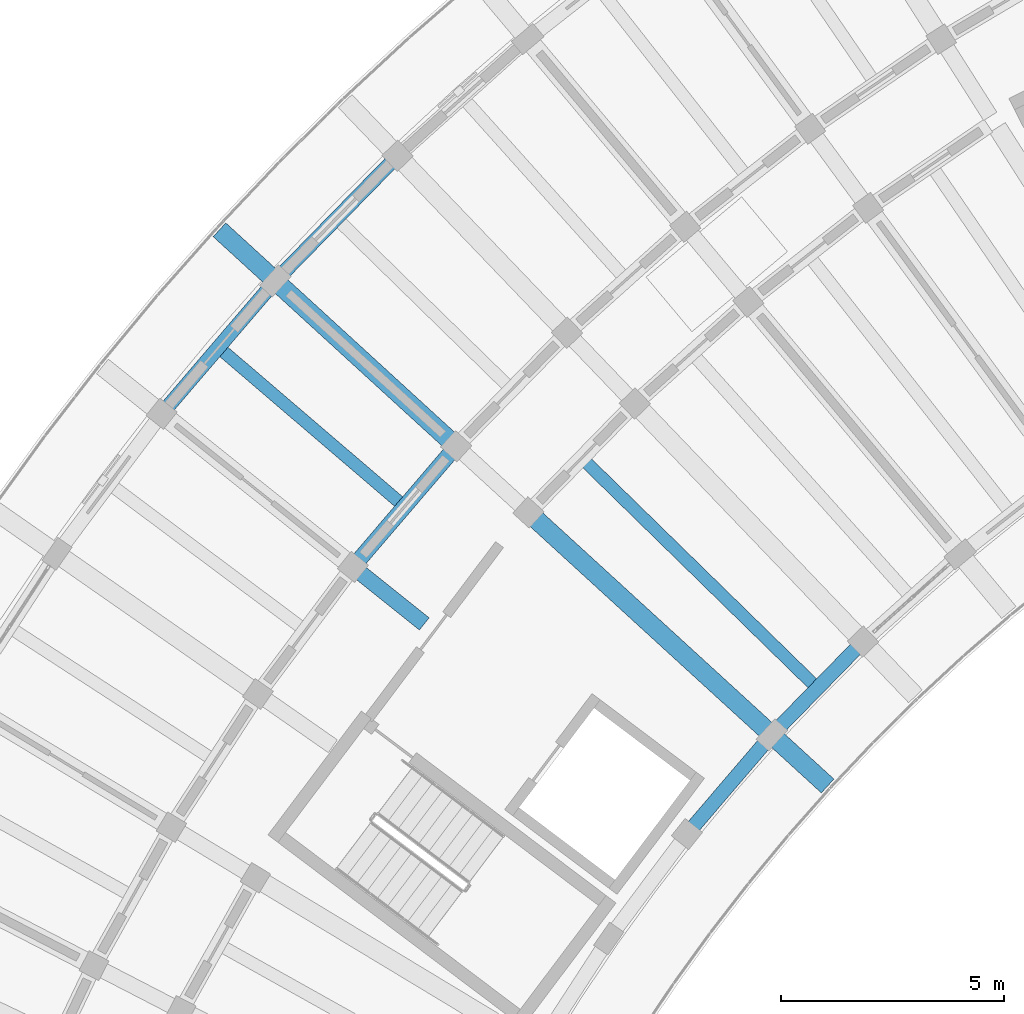
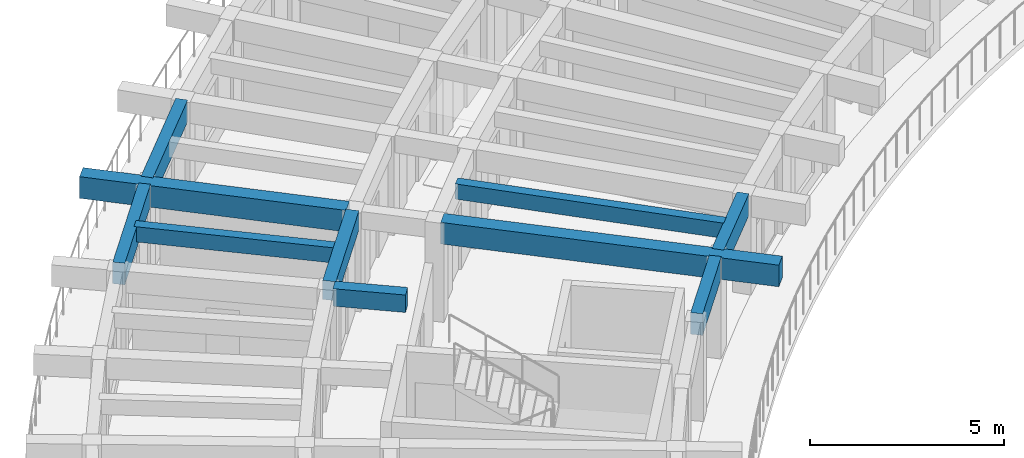
# One storey, part 14 of 62: 10 beams.
"""IFC4 building model written with IfcOpenShell, lengths in metres."""

from ifc_helpers import new_model, si_unit, direction, frame, origin, origin_2d, place, context, subcontext, project, spatial, rectangle, extrude, material, material_profile, profile_set, type_object, element, save


model = new_model("IFC4")

# Units and contexts
model_context = context("Model", 3, precision=1e-05, world=origin(), true_north=direction((0.0, 1.0)))
body_context = subcontext(model_context, "Body", "Model", "MODEL_VIEW")
ifc_project = project(units=[si_unit("LENGTHUNIT", "METRE"), si_unit("AREAUNIT", "SQUARE_METRE"), si_unit("VOLUMEUNIT", "CUBIC_METRE"), si_unit("PLANEANGLEUNIT", "RADIAN"), si_unit("MASSUNIT", "GRAM", prefix="KILO")], contexts=[model_context])

# Site, building, storey
site_placement = place(None, origin())
site = spatial("IfcSite", under=ifc_project, at=site_placement, CompositionType="ELEMENT")
building_placement = place(site_placement, origin())
building = spatial("IfcBuilding", under=site, at=building_placement, Name="Tanwirah Colonnade Gardens", CompositionType="ELEMENT")
storey_placement = place(building_placement, frame((0.0, 0.0, 32.360107421875)))
storey = spatial("IfcBuildingStorey", under=building, at=storey_placement, Name="L09", CompositionType="ELEMENT", Elevation=32.360107421875)

# Beams
ifc_material_1 = material(Name="Precast concrete C40/50", Category="concrete")
ifc_material_profile_1 = material_profile(ifc_material_1, rectangle(XDim=0.35009765625, YDim=0.550048828125, at=origin_2d()), Name="PC-BM 350x550")
ifc_profile_set_1 = profile_set([ifc_material_profile_1], Name="Precast concrete C40/50")
beam_type_1 = type_object("IfcBeamType", Name="BM-PC350A", PredefinedType="BEAM", material=ifc_profile_set_1)
beam_1_placement = place(storey_placement, frame((24.398681640625, 92.68896484375, 2.83984375), z_axis=(-0.78073089418, 0.624867402633, 0.0), x_axis=(-0.624867402633, -0.78073089418, 0.0)))
element("IfcBeam", 1, at=beam_1_placement, inside=storey, type_object=beam_type_1, Name="Block A L09 Corridor Tie Beam 12", PredefinedType="BEAM", context=body_context, shape_type="SweptSolid", body=[
    extrude(rectangle(XDim=0.35009765625, YDim=0.550048828125, at=origin_2d()), origin(), (0.0, 0.0, 1.0), 1.89990234375),
])
ifc_material_profile_2 = material_profile(ifc_material_1, rectangle(XDim=0.35009765625, YDim=0.60009765625, at=origin_2d()), Name="PC-BM 350x600")
ifc_profile_set_2 = profile_set([ifc_material_profile_2], Name="Precast concrete C40/50")
beam_type_2 = type_object("IfcBeamType", Name="BM-PC350B", PredefinedType="BEAM", material=ifc_profile_set_2)
beam_2_placement = place(storey_placement, frame((25.017333984375, 96.56298828125, 2.81494140625), z_axis=(-0.650218192342, -0.759747525398, 0.0), x_axis=(0.759747525398, -0.650218192342, 0.0)))
element("IfcBeam", 2, at=beam_2_placement, inside=storey, type_object=beam_type_2, Name="Block A L09 Circumferential Beam 11-R2", PredefinedType="BEAM", context=body_context, shape_type="SweptSolid", body=[
    extrude(rectangle(XDim=0.35009765625, YDim=0.60009765625, at=origin_2d()), origin(), (0.0, 0.0, 1.0), 3.26318359375),
])
ifc_material_2 = material(Name="Precast concrete C45/55", Category="concrete")
ifc_material_profile_3 = material_profile(ifc_material_2, rectangle(XDim=0.419921875, YDim=0.679931640625, at=origin_2d()), Name="PC-BM 420x680")
ifc_profile_set_3 = profile_set([ifc_material_profile_3], Name="Precast concrete C45/55")
beam_type_3 = type_object("IfcBeamType", Name="BM-PC420", PredefinedType="BEAM", material=ifc_profile_set_3)
beam_3_placement = place(storey_placement, frame((26.848876953125, 95.091064453125, 2.77490234375), z_axis=(0.737937205818, -0.674869380154, 0.0), x_axis=(0.674869380154, 0.737937205818, 0.0)))
element("IfcBeam", 3, at=beam_3_placement, inside=storey, type_object=beam_type_3, Name="Block A L09 Inner Radial Precast Girder 11", PredefinedType="BEAM", context=body_context, shape_type="SweptSolid", body=[
    extrude(rectangle(XDim=0.419921875, YDim=0.679931640625, at=origin_2d()), origin(), (0.0, 0.0, 1.0), 8.949951171875),
])
beam_4_placement = place(storey_placement, frame((25.004150390625, 96.7783203125, 2.77490234375), z_axis=(-0.737934199263, 0.674872667663, 0.0), x_axis=(-0.674872667663, -0.737934199263, 0.0)))
element("IfcBeam", 4, at=beam_4_placement, inside=storey, type_object=beam_type_3, Name="Block A L09 Outer Radial Precast Girder 11", PredefinedType="BEAM", context=body_context, shape_type="SweptSolid", body=[
    extrude(rectangle(XDim=0.419921875, YDim=0.679931640625, at=origin_2d()), origin(), (0.0, 0.0, 1.0), 7.050048828125),
])
ifc_material_profile_4 = material_profile(ifc_material_1, rectangle(XDim=0.280029296875, YDim=0.47998046875, at=origin_2d()), Name="PC-JST 280x480")
ifc_profile_set_4 = profile_set([ifc_material_profile_4], Name="Precast concrete C40/50")
beam_type_4 = type_object("IfcBeamType", Name="JST-PC280", PredefinedType="JOIST", material=ifc_profile_set_4)
beam_5_placement = place(storey_placement, frame((33.11962890625, 91.346923828125, 2.875), z_axis=(-0.715276680509, 0.698841377081, 0.0), x_axis=(-0.698841377081, -0.715276680509, 0.0)))
element("IfcBeam", 5, at=beam_5_placement, inside=storey, type_object=beam_type_4, Name="Block A L09 Inner Precast Floor Joist 10", PredefinedType="JOIST", context=body_context, shape_type="SweptSolid", body=[
    extrude(rectangle(XDim=0.280029296875, YDim=0.47998046875, at=origin_2d()), origin(), (0.0, 0.0, 1.0), 7.159912109375),
])
beam_6_placement = place(storey_placement, frame((23.843017578125, 95.42041015625, 2.875), z_axis=(-0.759770723643, 0.65019108537, 0.0), x_axis=(-0.65019108537, -0.759770723643, 0.0)))
element("IfcBeam", 6, at=beam_6_placement, inside=storey, type_object=beam_type_4, Name="Block A L09 Precast Floor Joist 11", PredefinedType="JOIST", context=body_context, shape_type="SweptSolid", body=[
    extrude(rectangle(XDim=0.280029296875, YDim=0.47998046875, at=origin_2d()), origin(), (0.0, 0.0, 1.0), 5.26025390625),
])
ifc_material_profile_5 = material_profile(ifc_material_2, rectangle(XDim=0.320068359375, YDim=0.679931640625, at=origin_2d()), Name="PC-SP 320x680")
ifc_profile_set_5 = profile_set([ifc_material_profile_5], Name="Precast concrete C45/55")
beam_type_5 = type_object("IfcBeamType", Name="SP-PC320", PredefinedType="SPANDREL", material=ifc_profile_set_5)
beam_7_placement = place(storey_placement, frame((34.141845703125, 92.186767578125, 2.77490234375), z_axis=(-0.698844462704, -0.715273665772, 0.0), x_axis=(0.715273665772, -0.698844462704, 0.0)))
element("IfcBeam", 7, at=beam_7_placement, inside=storey, type_object=beam_type_5, Name="Block A L09 Circumferential Beam 10-R0", PredefinedType="SPANDREL", context=body_context, shape_type="SweptSolid", body=[
    extrude(rectangle(XDim=0.320068359375, YDim=0.679931640625, at=origin_2d()), origin(), (0.0, 0.0, 1.0), 2.630126953125),
])
beam_8_placement = place(storey_placement, frame((23.69482421875, 103.089599609375, 2.77490234375), z_axis=(-0.698844493997, -0.715273635199, 0.0), x_axis=(0.715273635199, -0.698844493997, 0.0)))
element("IfcBeam", 8, at=beam_8_placement, inside=storey, type_object=beam_type_5, Name="Block A L09 Circumferential Beam 10-R3", PredefinedType="SPANDREL", context=body_context, shape_type="SweptSolid", body=[
    extrude(rectangle(XDim=0.320068359375, YDim=0.679931640625, at=origin_2d()), origin(), (0.0, 0.0, 1.0), 3.6259765625),
])
beam_9_placement = place(storey_placement, frame((32.101318359375, 90.084228515625, 2.77490234375), z_axis=(-0.650172023628, -0.759787035749, 0.0), x_axis=(0.759787035749, -0.650172023628, 0.0)))
element("IfcBeam", 9, at=beam_9_placement, inside=storey, type_object=beam_type_5, Name="Block A L09 Circumferential Beam 11-R0", PredefinedType="SPANDREL", context=body_context, shape_type="SweptSolid", body=[
    extrude(rectangle(XDim=0.320068359375, YDim=0.679931640625, at=origin_2d()), origin(), (0.0, 0.0, 1.0), 2.63037109375),
])
beam_10_placement = place(storey_placement, frame((20.95849609375, 100.27490234375, 2.77490234375), z_axis=(-0.65013123267, -0.75982193987, 0.0), x_axis=(0.75982193987, -0.65013123267, 0.0)))
element("IfcBeam", 10, at=beam_10_placement, inside=storey, type_object=beam_type_5, Name="Block A L09 Circumferential Beam 11-R3", PredefinedType="SPANDREL", context=body_context, shape_type="SweptSolid", body=[
    extrude(rectangle(XDim=0.320068359375, YDim=0.679931640625, at=origin_2d()), origin(), (0.0, 0.0, 1.0), 3.625732421875),
])

save(model, "model.ifc")
